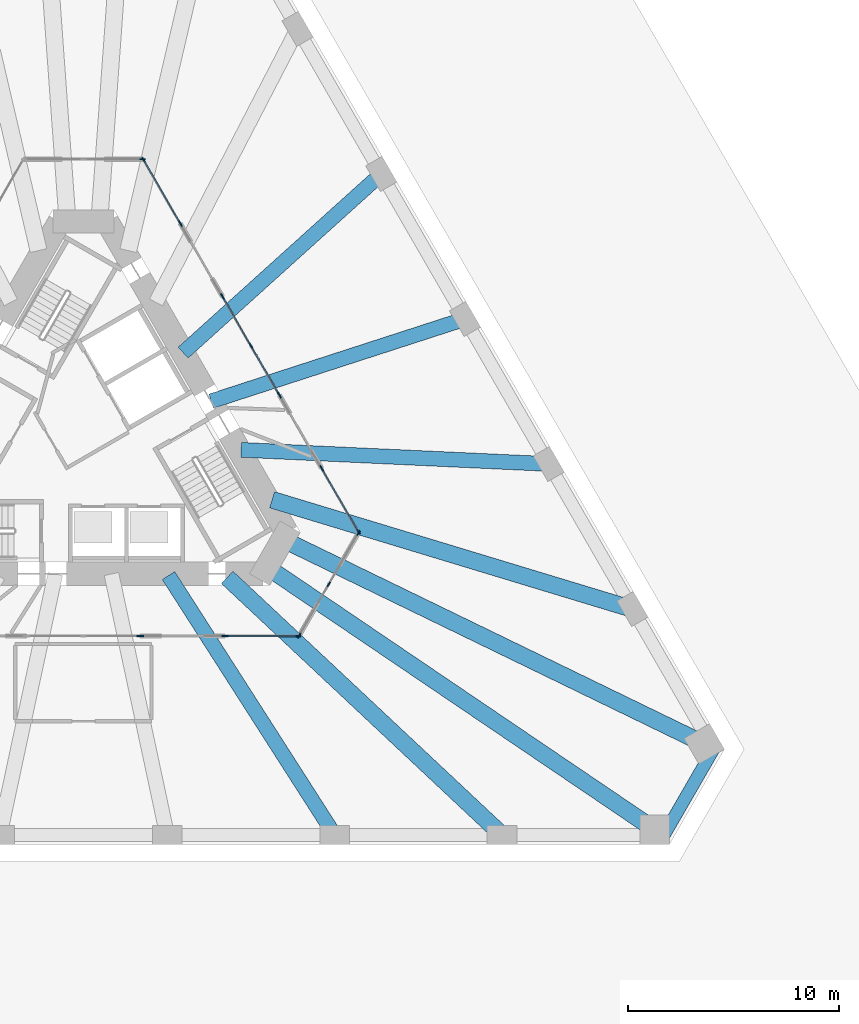
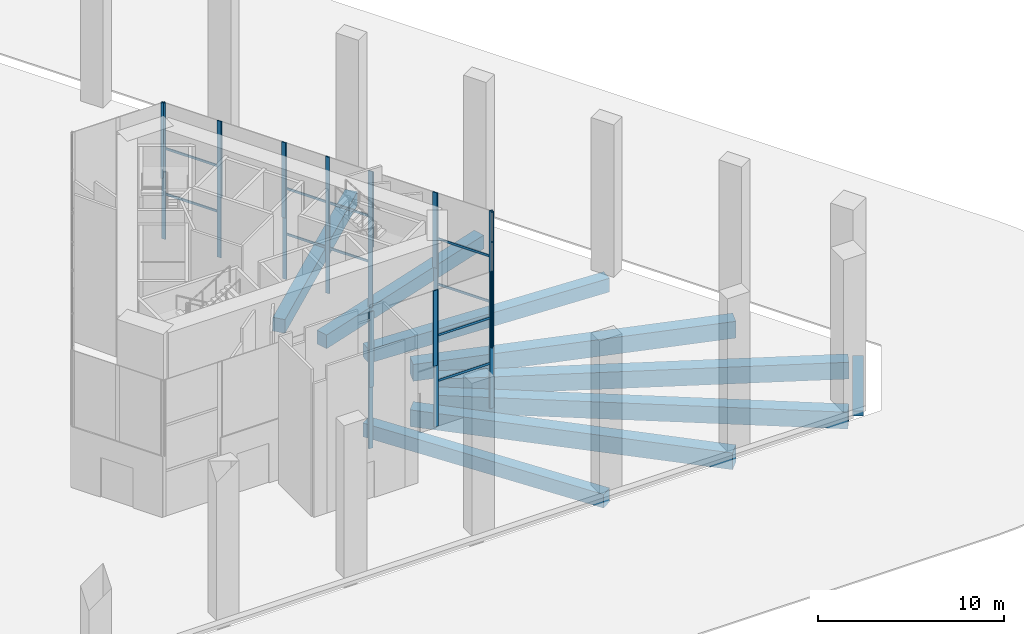
# One storey, part 5 of 13: 30 members, 9 beams, 10 elements without a shape of their own.
"""IFC4 building model written with IfcOpenShell, lengths in metres."""

from ifc_helpers import new_model, si_unit, direction, frame, origin, origin_2d, place, context, subcontext, project, spatial, rectangle, extrude, material, layer, layer_set, material_profile, profile_set, type_object, element, aggregate, save


model = new_model("IFC4")

# Units and contexts
model_context = context("Model", 3, precision=1e-05, world=origin(), true_north=direction((0.0, 1.0)))
body_context = subcontext(model_context, "Body", "Model", "MODEL_VIEW")
ifc_project = project(units=[si_unit("LENGTHUNIT", "METRE"), si_unit("AREAUNIT", "SQUARE_METRE"), si_unit("VOLUMEUNIT", "CUBIC_METRE"), si_unit("PLANEANGLEUNIT", "RADIAN"), si_unit("MASSUNIT", "GRAM", prefix="KILO")], contexts=[model_context])

# Site, building, storey
site_placement = place(None, origin())
site = spatial("IfcSite", under=ifc_project, at=site_placement, CompositionType="ELEMENT")
building_placement = place(site_placement, origin())
building = spatial("IfcBuilding", under=site, at=building_placement, Name="Tramontana Tower", CompositionType="ELEMENT")
storey_placement = place(building_placement, origin())
storey = spatial("IfcBuildingStorey", under=building, at=storey_placement, Name="L00", CompositionType="ELEMENT", Elevation=0.0)

# Curtain wall, members
ifc_material_1 = material(Name="Aluminum extrusion", Category="aluminium")
ifc_layer = layer(ifc_material_1, 0.14990234375)
ifc_layer_set = layer_set([ifc_layer], Name="CW1 Entrance pavilion curtain wall")
curtain_wall_type = type_object("IfcCurtainWallType", Name="CW1 Entrance pavilion curtain wall", PredefinedType="NOTDEFINED", material=ifc_layer_set)
curtain_wall_1_placement = place(storey_placement, origin())
curtain_wall_1 = element("IfcCurtainWall", 1, at=curtain_wall_1_placement, inside=storey, type_object=curtain_wall_type, Name="CW1 curtain wall L00 edge 1 run 1", PredefinedType="NOTDEFINED")
ifc_material_2 = material(Name="Aluminum extrusion", Category="aluminium")
ifc_material_profile_1 = material_profile(ifc_material_2, rectangle(XDim=0.06005859375, YDim=0.25, at=origin_2d()), Name="CW1-M Mullion 60 x 250")
ifc_profile_set_1 = profile_set([ifc_material_profile_1], Name="Aluminum extrusion")
member_type_1 = type_object("IfcMemberType", Name="CW1-M Mullion 60 x 250", PredefinedType="MULLION", material=ifc_profile_set_1)
member_1_placement = place(storey_placement, frame((2.843994140625, 13.3740234375, 0.0), z_axis=(0.0, 0.0, 1.0), x_axis=(0.866025403784, 0.5, 0.0)))
member_1 = element("IfcMember", 2, at=member_1_placement, type_object=member_type_1, Name="CW1 curtain wall L00 edge 1 run 1 mullion 1", PredefinedType="MULLION", context=body_context, shape_type="SweptSolid", body=[
    extrude(rectangle(XDim=0.06005859375, YDim=0.25, at=origin_2d()), origin(), (0.0, 0.0, 1.0), 8.949951171875),
])
member_2_placement = place(storey_placement, frame((4.5654296875, 10.392578125, 0.0), z_axis=(0.0, 0.0, 1.0), x_axis=(0.866025403784, 0.5, 0.0)))
member_2 = element("IfcMember", 3, at=member_2_placement, type_object=member_type_1, Name="CW1 curtain wall L00 edge 1 run 1 mullion 2", PredefinedType="MULLION", context=body_context, shape_type="SweptSolid", body=[
    extrude(rectangle(XDim=0.06005859375, YDim=0.25, at=origin_2d()), origin(), (0.0, 0.0, 1.0), 8.949951171875),
])

curtain_wall_2_placement = place(storey_placement, origin())
curtain_wall_2 = element("IfcCurtainWall", 4, at=curtain_wall_2_placement, inside=storey, type_object=curtain_wall_type, Name="CW1 curtain wall L00 edge 1 run 2", PredefinedType="NOTDEFINED")
member_3_placement = place(storey_placement, frame((6.595458984375, 6.87646484375, 0.0), z_axis=(0.0, 0.0, 1.0), x_axis=(0.866025403784, 0.5, 0.0)))
member_3 = element("IfcMember", 5, at=member_3_placement, type_object=member_type_1, Name="CW1 curtain wall L00 edge 1 run 2 mullion 1", PredefinedType="MULLION", context=body_context, shape_type="SweptSolid", body=[
    extrude(rectangle(XDim=0.06005859375, YDim=0.25, at=origin_2d()), origin(), (0.0, 0.0, 1.0), 8.949951171875),
])
member_4_placement = place(storey_placement, frame((7.924072265625, 4.574951171875, 0.0), z_axis=(0.0, 0.0, 1.0), x_axis=(0.866025403784, 0.5, 0.0)))
member_4 = element("IfcMember", 6, at=member_4_placement, type_object=member_type_1, Name="CW1 curtain wall L00 edge 1 run 2 mullion 2", PredefinedType="MULLION", context=body_context, shape_type="SweptSolid", body=[
    extrude(rectangle(XDim=0.06005859375, YDim=0.25, at=origin_2d()), origin(), (0.0, 0.0, 1.0), 8.949951171875),
])
member_5_placement = place(storey_placement, frame((9.2529296875, 2.2734375, 0.0), z_axis=(0.0, 0.0, 1.0), x_axis=(0.866025403784, 0.5, 0.0)))
member_5 = element("IfcMember", 7, at=member_5_placement, type_object=member_type_1, Name="CW1 curtain wall L00 edge 1 run 2 mullion 3", PredefinedType="MULLION", context=body_context, shape_type="SweptSolid", body=[
    extrude(rectangle(XDim=0.06005859375, YDim=0.25, at=origin_2d()), origin(), (0.0, 0.0, 1.0), 8.949951171875),
])

curtain_wall_3_placement = place(storey_placement, origin())
curtain_wall_3 = element("IfcCurtainWall", 8, at=curtain_wall_3_placement, inside=storey, type_object=curtain_wall_type, Name="CW1 curtain wall L00 edge 1 run 3", PredefinedType="NOTDEFINED")
member_6_placement = place(storey_placement, frame((11.282958984375, -1.242431640625, 0.0), z_axis=(0.0, 0.0, 1.0), x_axis=(0.866025403784, 0.5, 0.0)))
member_6 = element("IfcMember", 9, at=member_6_placement, type_object=member_type_1, Name="CW1 curtain wall L00 edge 1 run 3 mullion 1", PredefinedType="MULLION", context=body_context, shape_type="SweptSolid", body=[
    extrude(rectangle(XDim=0.06005859375, YDim=0.25, at=origin_2d()), origin(), (0.0, 0.0, 1.0), 8.949951171875),
])
member_7_placement = place(storey_placement, frame((13.004150390625, -4.22412109375, 0.0), z_axis=(0.0, 0.0, 1.0), x_axis=(0.866025403784, 0.5, 0.0)))
member_7 = element("IfcMember", 10, at=member_7_placement, type_object=member_type_1, Name="CW1 curtain wall L00 edge 1 run 3 mullion 2", PredefinedType="MULLION", context=body_context, shape_type="SweptSolid", body=[
    extrude(rectangle(XDim=0.06005859375, YDim=0.25, at=origin_2d()), origin(), (0.0, 0.0, 1.0), 8.949951171875),
])

curtain_wall_4_placement = place(storey_placement, origin())
curtain_wall_4 = element("IfcCurtainWall", 11, at=curtain_wall_4_placement, inside=storey, type_object=curtain_wall_type, Name="CW1 curtain wall L00 edge 1 over entrance 1", PredefinedType="NOTDEFINED")
member_8_placement = place(storey_placement, frame((4.595458984375, 10.340576171875, 4.0), z_axis=(0.0, 0.0, 1.0), x_axis=(0.866025403784, 0.5, 0.0)))
member_8 = element("IfcMember", 12, at=member_8_placement, type_object=member_type_1, Name="CW1 curtain wall L00 edge 1 over entrance 1 mullion 1", PredefinedType="MULLION", context=body_context, shape_type="SweptSolid", body=[
    extrude(rectangle(XDim=0.06005859375, YDim=0.25, at=origin_2d()), origin(), (0.0, 0.0, 1.0), 4.949951171875),
])
member_9_placement = place(storey_placement, frame((6.5654296875, 6.928466796875, 4.0), z_axis=(0.0, 0.0, 1.0), x_axis=(0.866025403784, 0.5, 0.0)))
member_9 = element("IfcMember", 13, at=member_9_placement, type_object=member_type_1, Name="CW1 curtain wall L00 edge 1 over entrance 1 mullion 2", PredefinedType="MULLION", context=body_context, shape_type="SweptSolid", body=[
    extrude(rectangle(XDim=0.06005859375, YDim=0.25, at=origin_2d()), origin(), (0.0, 0.0, 1.0), 4.949951171875),
])
aggregate(curtain_wall_4, [member_8, member_9])

curtain_wall_5_placement = place(storey_placement, origin())
curtain_wall_5 = element("IfcCurtainWall", 14, at=curtain_wall_5_placement, inside=storey, type_object=curtain_wall_type, Name="CW1 curtain wall L00 edge 1 over entrance 2", PredefinedType="NOTDEFINED")
member_10_placement = place(storey_placement, frame((9.282958984375, 2.2216796875, 4.0), z_axis=(0.0, 0.0, 1.0), x_axis=(0.866025403784, 0.5, 0.0)))
member_10 = element("IfcMember", 15, at=member_10_placement, type_object=member_type_1, Name="CW1 curtain wall L00 edge 1 over entrance 2 mullion 1", PredefinedType="MULLION", context=body_context, shape_type="SweptSolid", body=[
    extrude(rectangle(XDim=0.06005859375, YDim=0.25, at=origin_2d()), origin(), (0.0, 0.0, 1.0), 4.949951171875),
])
member_11_placement = place(storey_placement, frame((11.2529296875, -1.190673828125, 4.0), z_axis=(0.0, 0.0, 1.0), x_axis=(0.866025403784, 0.5, 0.0)))
member_11 = element("IfcMember", 16, at=member_11_placement, type_object=member_type_1, Name="CW1 curtain wall L00 edge 1 over entrance 2 mullion 2", PredefinedType="MULLION", context=body_context, shape_type="SweptSolid", body=[
    extrude(rectangle(XDim=0.06005859375, YDim=0.25, at=origin_2d()), origin(), (0.0, 0.0, 1.0), 4.949951171875),
])
aggregate(curtain_wall_5, [member_10, member_11])

curtain_wall_6_placement = place(storey_placement, origin())
curtain_wall_6 = element("IfcCurtainWall", 17, at=curtain_wall_6_placement, inside=storey, type_object=curtain_wall_type, Name="CW1 curtain wall L00 stair exit 1 over door", PredefinedType="NOTDEFINED")
member_12_placement = place(storey_placement, frame((13.004150390625, -4.27587890625, 4.0), z_axis=(0.0, 0.0, 1.0), x_axis=(0.866025403784, -0.5, 0.0)))
member_12 = element("IfcMember", 18, at=member_12_placement, type_object=member_type_1, Name="CW1 curtain wall L00 stair exit 1 over door mullion 1", PredefinedType="MULLION", context=body_context, shape_type="SweptSolid", body=[
    extrude(rectangle(XDim=0.06005859375, YDim=0.25, at=origin_2d()), origin(), (0.0, 0.0, 1.0), 4.949951171875),
])
member_13_placement = place(storey_placement, frame((11.604736328125, -6.699951171875, 4.0), z_axis=(0.0, 0.0, 1.0), x_axis=(0.866025403784, -0.5, 0.0)))
member_13 = element("IfcMember", 19, at=member_13_placement, type_object=member_type_1, Name="CW1 curtain wall L00 stair exit 1 over door mullion 2", PredefinedType="MULLION", context=body_context, shape_type="SweptSolid", body=[
    extrude(rectangle(XDim=0.06005859375, YDim=0.25, at=origin_2d()), origin(), (0.0, 0.0, 1.0), 4.949951171875),
])
member_14_placement = place(storey_placement, frame((10.205322265625, -9.1240234375, 4.0), z_axis=(0.0, 0.0, 1.0), x_axis=(0.866025403784, -0.5, 0.0)))
member_14 = element("IfcMember", 20, at=member_14_placement, type_object=member_type_1, Name="CW1 curtain wall L00 stair exit 1 over door mullion 3", PredefinedType="MULLION", context=body_context, shape_type="SweptSolid", body=[
    extrude(rectangle(XDim=0.06005859375, YDim=0.25, at=origin_2d()), origin(), (0.0, 0.0, 1.0), 4.949951171875),
])
aggregate(curtain_wall_6, [member_12, member_13, member_14])

curtain_wall_7_placement = place(storey_placement, origin())
curtain_wall_7 = element("IfcCurtainWall", 21, at=curtain_wall_7_placement, inside=storey, type_object=curtain_wall_type, Name="CW1 curtain wall L00 edge 2 run 1", PredefinedType="NOTDEFINED")
member_15_placement = place(storey_placement, frame((10.16015625, -9.14990234375, 0.0), z_axis=(0.0, 0.0, 1.0), x_axis=(0.0, -1.0, 0.0)))
member_15 = element("IfcMember", 22, at=member_15_placement, type_object=member_type_1, Name="CW1 curtain wall L00 edge 2 run 1 mullion 1", PredefinedType="MULLION", context=body_context, shape_type="SweptSolid", body=[
    extrude(rectangle(XDim=0.06005859375, YDim=0.25, at=origin_2d()), origin(), (0.0, 0.0, 1.0), 8.949951171875),
])
member_16_placement = place(storey_placement, frame((6.717529296875, -9.14990234375, 0.0), z_axis=(0.0, 0.0, 1.0), x_axis=(0.0, -1.0, 0.0)))
member_16 = element("IfcMember", 23, at=member_16_placement, type_object=member_type_1, Name="CW1 curtain wall L00 edge 2 run 1 mullion 2", PredefinedType="MULLION", context=body_context, shape_type="SweptSolid", body=[
    extrude(rectangle(XDim=0.06005859375, YDim=0.25, at=origin_2d()), origin(), (0.0, 0.0, 1.0), 8.949951171875),
])

# Curtain wall, member
curtain_wall_8_placement = place(storey_placement, origin())
curtain_wall_8 = element("IfcCurtainWall", 24, at=curtain_wall_8_placement, inside=storey, type_object=curtain_wall_type, Name="CW1 curtain wall L00 edge 2 run 2", PredefinedType="NOTDEFINED")
member_17_placement = place(storey_placement, frame((2.657470703125, -9.14990234375, 0.0), z_axis=(0.0, 0.0, 1.0), x_axis=(0.0, -1.0, 0.0)))
member_17 = element("IfcMember", 25, at=member_17_placement, type_object=member_type_1, Name="CW1 curtain wall L00 edge 2 run 2 mullion 1", PredefinedType="MULLION", context=body_context, shape_type="SweptSolid", body=[
    extrude(rectangle(XDim=0.06005859375, YDim=0.25, at=origin_2d()), origin(), (0.0, 0.0, 1.0), 8.949951171875),
])
aggregate(curtain_wall_8, [member_17])

# Curtain wall, members
curtain_wall_9_placement = place(storey_placement, origin())
curtain_wall_9 = element("IfcCurtainWall", 26, at=curtain_wall_9_placement, inside=storey, type_object=curtain_wall_type, Name="CW1 curtain wall L00 edge 2 over entrance 1", PredefinedType="NOTDEFINED")
member_18_placement = place(storey_placement, frame((6.657470703125, -9.14990234375, 4.0), z_axis=(0.0, 0.0, 1.0), x_axis=(0.0, -1.0, 0.0)))
member_18 = element("IfcMember", 27, at=member_18_placement, type_object=member_type_1, Name="CW1 curtain wall L00 edge 2 over entrance 1 mullion 1", PredefinedType="MULLION", context=body_context, shape_type="SweptSolid", body=[
    extrude(rectangle(XDim=0.06005859375, YDim=0.25, at=origin_2d()), origin(), (0.0, 0.0, 1.0), 4.949951171875),
])
member_19_placement = place(storey_placement, frame((2.717529296875, -9.14990234375, 4.0), z_axis=(0.0, 0.0, 1.0), x_axis=(0.0, -1.0, 0.0)))
member_19 = element("IfcMember", 28, at=member_19_placement, type_object=member_type_1, Name="CW1 curtain wall L00 edge 2 over entrance 1 mullion 2", PredefinedType="MULLION", context=body_context, shape_type="SweptSolid", body=[
    extrude(rectangle(XDim=0.06005859375, YDim=0.25, at=origin_2d()), origin(), (0.0, 0.0, 1.0), 4.949951171875),
])
aggregate(curtain_wall_9, [member_18, member_19])

# Curtain wall, member
curtain_wall_10_placement = place(storey_placement, origin())
curtain_wall_10 = element("IfcCurtainWall", 29, at=curtain_wall_10_placement, inside=storey, type_object=curtain_wall_type, Name="CW1 curtain wall L00 stair exit 3 over door", PredefinedType="NOTDEFINED")
member_20_placement = place(storey_placement, frame((2.799072265625, 13.39990234375, 4.0), z_axis=(0.0, 0.0, 1.0), x_axis=(0.0, 1.0, 0.0)))
member_20 = element("IfcMember", 30, at=member_20_placement, type_object=member_type_1, Name="CW1 curtain wall L00 stair exit 3 over door mullion 3", PredefinedType="MULLION", context=body_context, shape_type="SweptSolid", body=[
    extrude(rectangle(XDim=0.06005859375, YDim=0.25, at=origin_2d()), origin(), (0.0, 0.0, 1.0), 4.949951171875),
])
aggregate(curtain_wall_10, [member_20])

# Member
ifc_material_3 = material(Name="Aluminum extrusion", Category="aluminium")
ifc_material_profile_2 = material_profile(ifc_material_3, rectangle(XDim=0.06005859375, YDim=0.14990234375, at=origin_2d()), Name="CW1-T Transom 60 x 150")
ifc_profile_set_2 = profile_set([ifc_material_profile_2], Name="Aluminum extrusion")
member_type_2 = type_object("IfcMemberType", Name="CW1-T Transom 60 x 150", PredefinedType="USERDEFINED", material=ifc_profile_set_2)
member_21_placement = place(storey_placement, frame((2.859130859375, 13.34814453125, 2.98291015625), z_axis=(0.499934869009, -0.866063003914, 0.0), x_axis=(0.866063003914, 0.499934869009, 0.0)))
member_21 = element("IfcMember", 31, at=member_21_placement, type_object=member_type_2, Name="CW1 curtain wall L00 edge 1 run 1 transom 1.1", ObjectType="TRANSOM", PredefinedType="USERDEFINED", context=body_context, shape_type="SweptSolid", body=[
    extrude(rectangle(XDim=0.06005859375, YDim=0.14990234375, at=origin_2d()), origin(), (0.0, 0.0, 1.0), 3.3828125),
])

member_22_placement = place(storey_placement, frame((2.859130859375, 13.34814453125, 5.967041015625), z_axis=(0.499934869009, -0.866063003914, 0.0), x_axis=(0.866063003914, 0.499934869009, 0.0)))
member_22 = element("IfcMember", 32, at=member_22_placement, type_object=member_type_2, Name="CW1 curtain wall L00 edge 1 run 1 transom 1.2", ObjectType="TRANSOM", PredefinedType="USERDEFINED", context=body_context, shape_type="SweptSolid", body=[
    extrude(rectangle(XDim=0.06005859375, YDim=0.14990234375, at=origin_2d()), origin(), (0.0, 0.0, 1.0), 3.3828125),
])

aggregate(curtain_wall_1, [member_1, member_2, member_21, member_22])

member_23_placement = place(storey_placement, frame((6.6103515625, 6.8505859375, 2.98291015625), z_axis=(0.500020768084, -0.866013412994, 0.0), x_axis=(0.866013412994, 0.500020768084, 0.0)))
member_23 = element("IfcMember", 33, at=member_23_placement, type_object=member_type_2, Name="CW1 curtain wall L00 edge 1 run 2 transom 1.1", ObjectType="TRANSOM", PredefinedType="USERDEFINED", context=body_context, shape_type="SweptSolid", body=[
    extrude(rectangle(XDim=0.06005859375, YDim=0.14990234375, at=origin_2d()), origin(), (0.0, 0.0, 1.0), 2.59765625),
])

member_24_placement = place(storey_placement, frame((6.6103515625, 6.8505859375, 5.967041015625), z_axis=(0.500020768084, -0.866013412994, 0.0), x_axis=(0.866013412994, 0.500020768084, 0.0)))
member_24 = element("IfcMember", 34, at=member_24_placement, type_object=member_type_2, Name="CW1 curtain wall L00 edge 1 run 2 transom 1.2", ObjectType="TRANSOM", PredefinedType="USERDEFINED", context=body_context, shape_type="SweptSolid", body=[
    extrude(rectangle(XDim=0.06005859375, YDim=0.14990234375, at=origin_2d()), origin(), (0.0, 0.0, 1.0), 2.59765625),
])

member_25_placement = place(storey_placement, frame((7.939208984375, 4.549072265625, 2.98291015625), z_axis=(0.499950273417, -0.866054111537, 0.0), x_axis=(0.866054111537, 0.499950273417, 0.0)))
member_25 = element("IfcMember", 35, at=member_25_placement, type_object=member_type_2, Name="CW1 curtain wall L00 edge 1 run 2 transom 2.1", ObjectType="TRANSOM", PredefinedType="USERDEFINED", context=body_context, shape_type="SweptSolid", body=[
    extrude(rectangle(XDim=0.06005859375, YDim=0.14990234375, at=origin_2d()), origin(), (0.0, 0.0, 1.0), 2.597412109375),
])

member_26_placement = place(storey_placement, frame((7.939208984375, 4.549072265625, 5.967041015625), z_axis=(0.499950273417, -0.866054111537, 0.0), x_axis=(0.866054111537, 0.499950273417, 0.0)))
member_26 = element("IfcMember", 36, at=member_26_placement, type_object=member_type_2, Name="CW1 curtain wall L00 edge 1 run 2 transom 2.2", ObjectType="TRANSOM", PredefinedType="USERDEFINED", context=body_context, shape_type="SweptSolid", body=[
    extrude(rectangle(XDim=0.06005859375, YDim=0.14990234375, at=origin_2d()), origin(), (0.0, 0.0, 1.0), 2.597412109375),
])

aggregate(curtain_wall_2, [member_3, member_4, member_5, member_23, member_24, member_25, member_26])

member_27_placement = place(storey_placement, frame((11.2978515625, -1.2685546875, 2.98291015625), z_axis=(0.500020251116, -0.866013711481, 0.0), x_axis=(0.866013711481, 0.500020251116, 0.0)))
member_27 = element("IfcMember", 37, at=member_27_placement, type_object=member_type_2, Name="CW1 curtain wall L00 edge 1 run 3 transom 1.1", ObjectType="TRANSOM", PredefinedType="USERDEFINED", context=body_context, shape_type="SweptSolid", body=[
    extrude(rectangle(XDim=0.06005859375, YDim=0.14990234375, at=origin_2d()), origin(), (0.0, 0.0, 1.0), 3.382568359375),
])

member_28_placement = place(storey_placement, frame((11.2978515625, -1.2685546875, 5.967041015625), z_axis=(0.500020251116, -0.866013711481, 0.0), x_axis=(0.866013711481, 0.500020251116, 0.0)))
member_28 = element("IfcMember", 38, at=member_28_placement, type_object=member_type_2, Name="CW1 curtain wall L00 edge 1 run 3 transom 1.2", ObjectType="TRANSOM", PredefinedType="USERDEFINED", context=body_context, shape_type="SweptSolid", body=[
    extrude(rectangle(XDim=0.06005859375, YDim=0.14990234375, at=origin_2d()), origin(), (0.0, 0.0, 1.0), 3.382568359375),
])

aggregate(curtain_wall_3, [member_6, member_7, member_27, member_28])

member_29_placement = place(storey_placement, frame((10.130126953125, -9.14990234375, 2.98291015625), z_axis=(-1.0, 0.0, 0.0), x_axis=(0.0, -1.0, 0.0)))
member_29 = element("IfcMember", 39, at=member_29_placement, type_object=member_type_2, Name="CW1 curtain wall L00 edge 2 run 1 transom 1.1", ObjectType="TRANSOM", PredefinedType="USERDEFINED", context=body_context, shape_type="SweptSolid", body=[
    extrude(rectangle(XDim=0.06005859375, YDim=0.14990234375, at=origin_2d()), origin(), (0.0, 0.0, 1.0), 3.382568359375),
])

member_30_placement = place(storey_placement, frame((10.130126953125, -9.14990234375, 5.967041015625), z_axis=(-1.0, 0.0, 0.0), x_axis=(0.0, -1.0, 0.0)))
member_30 = element("IfcMember", 40, at=member_30_placement, type_object=member_type_2, Name="CW1 curtain wall L00 edge 2 run 1 transom 1.2", ObjectType="TRANSOM", PredefinedType="USERDEFINED", context=body_context, shape_type="SweptSolid", body=[
    extrude(rectangle(XDim=0.06005859375, YDim=0.14990234375, at=origin_2d()), origin(), (0.0, 0.0, 1.0), 3.382568359375),
])

aggregate(curtain_wall_7, [member_15, member_16, member_29, member_30])

# Beams
ifc_material_4 = material(Name="Concrete 40 MPa", Category="concrete")
ifc_material_profile_3 = material_profile(ifc_material_4, rectangle(XDim=0.60009765625, YDim=0.35009765625, at=origin_2d()), Name="RC EDGE BEAM 600X350 40 MPa")
ifc_profile_set_3 = profile_set([ifc_material_profile_3], Name="Concrete 40 MPa")
beam_type_1 = type_object("IfcBeamType", Name="RC EDGE BEAM 600X350 40 MPa", PredefinedType="SPANDREL", material=ifc_profile_set_3)
beam_1_placement = place(storey_placement, frame((27.322998046875, -18.77490234375, -0.52490234375), z_axis=(0.50000986103, 0.866019710441, 0.0), x_axis=(-0.866019710441, 0.50000986103, 0.0)))
element("IfcBeam", 41, at=beam_1_placement, inside=storey, type_object=beam_type_1, Name="Spandrel beam K2 L00", PredefinedType="SPANDREL", context=body_context, shape_type="SweptSolid", body=[
    extrude(rectangle(XDim=0.60009765625, YDim=0.35009765625, at=origin_2d()), origin(), (0.0, 0.0, 1.0), 5.1962890625),
])
ifc_material_5 = material(Name="Concrete 40 MPa", Category="concrete")
ifc_material_profile_4 = material_profile(ifc_material_5, rectangle(XDim=0.699951171875, YDim=0.89990234375, at=origin_2d()), Name="RC GIRDER 700X900 40 MPa")
ifc_profile_set_4 = profile_set([ifc_material_profile_4], Name="Concrete 40 MPa")
beam_type_2 = type_object("IfcBeamType", Name="RC GIRDER 700X900 40 MPa", PredefinedType="BEAM", material=ifc_profile_set_4)
for number, where, z_axis, x_axis, name in (
    (42, (11.876953125, -18.550048828125, -0.800048828125), (-0.539217827497, 0.84216633423, 0.0), (-0.84216633423, -0.539217827497, 0.0), "Radial girder C0F11 L00"),
    (43, (22.003173828125, -1.0107421875, -0.800048828125), (-0.998946541736, 0.045889070085, 0.0), (-0.045889070085, -0.998946541736, 0.0), "Radial girder C0F14 L00"),
):
    element("IfcBeam", number, at=place(storey_placement, frame(where, z_axis=z_axis, x_axis=x_axis)), inside=storey, type_object=beam_type_2, Name=name, PredefinedType="BEAM", context=body_context, shape_type="SweptSolid", body=[
        extrude(rectangle(XDim=0.699951171875, YDim=0.89990234375, at=origin_2d()), origin(), (0.0, 0.0, 1.0), 14.5615234375),
    ])
beam_2_placement = place(storey_placement, frame((18.044189453125, 5.846435546875, -0.800048828125), z_axis=(-0.951314408854, -0.30822215285, 0.0), x_axis=(0.30822215285, -0.951314408854, 0.0)))
element("IfcBeam", 44, at=beam_2_placement, inside=storey, type_object=beam_type_2, Name="Radial girder C0F15 L00", PredefinedType="BEAM", context=body_context, shape_type="SweptSolid", body=[
    extrude(rectangle(XDim=0.699951171875, YDim=0.89990234375, at=origin_2d()), origin(), (0.0, 0.0, 1.0), 12.61572265625),
])
beam_3_placement = place(storey_placement, frame((14.085205078125, 12.70361328125, -0.800048828125), z_axis=(-0.742588406407, -0.669748056116, 0.0), x_axis=(0.669748056116, -0.742588406407, 0.0)))
element("IfcBeam", 45, at=beam_3_placement, inside=storey, type_object=beam_type_2, Name="Radial girder C0F16 L00", PredefinedType="BEAM", context=body_context, shape_type="SweptSolid", body=[
    extrude(rectangle(XDim=0.699951171875, YDim=0.89990234375, at=origin_2d()), origin(), (0.0, 0.0, 1.0), 12.615966796875),
])
ifc_material_6 = material(Name="Concrete 40 MPa", Category="concrete")
ifc_material_profile_5 = material_profile(ifc_material_6, rectangle(XDim=0.800048828125, YDim=1.10009765625, at=origin_2d()), Name="RC GIRDER 800X1100 40 MPa")
ifc_profile_set_5 = profile_set([ifc_material_profile_5], Name="Concrete 40 MPa")
beam_type_3 = type_object("IfcBeamType", Name="RC GIRDER 800X1100 40 MPa", PredefinedType="BEAM", material=ifc_profile_set_5)
beam_4_placement = place(storey_placement, frame((19.794921875, -18.550048828125, -0.89990234375), z_axis=(-0.72967229952, 0.683796998614, 0.0), x_axis=(-0.683796998614, -0.72967229952, 0.0)))
element("IfcBeam", 46, at=beam_4_placement, inside=storey, type_object=beam_type_3, Name="Radial girder C0F12 L00", PredefinedType="BEAM", context=body_context, shape_type="SweptSolid", body=[
    extrude(rectangle(XDim=0.800048828125, YDim=1.10009765625, at=origin_2d()), origin(), (0.0, 0.0, 1.0), 17.806884765625),
])
beam_5_placement = place(storey_placement, frame((27.0126953125, -18.300048828125, -0.89990234375), z_axis=(-0.827898052271, 0.560878609903, 0.0), x_axis=(-0.560878609903, -0.827898052271, 0.0)))
element("IfcBeam", 47, at=beam_5_placement, inside=storey, type_object=beam_type_3, Name="Radial girder C0K4 L00", PredefinedType="BEAM", context=body_context, shape_type="SweptSolid", body=[
    extrude(rectangle(XDim=0.800048828125, YDim=1.10009765625, at=origin_2d()), origin(), (0.0, 0.0, 1.0), 22.1494140625),
])
beam_6_placement = place(storey_placement, frame((29.354736328125, -14.243896484375, -0.89990234375), z_axis=(-0.899679009302, 0.436552036098, 0.0), x_axis=(-0.436552036098, -0.899679009302, 0.0)))
element("IfcBeam", 48, at=beam_6_placement, inside=storey, type_object=beam_type_3, Name="Radial girder C0K5 L00", PredefinedType="BEAM", context=body_context, shape_type="SweptSolid", body=[
    extrude(rectangle(XDim=0.800048828125, YDim=1.10009765625, at=origin_2d()), origin(), (0.0, 0.0, 1.0), 22.149658203125),
])
beam_7_placement = place(storey_placement, frame((25.962158203125, -7.867919921875, -0.89990234375), z_axis=(-0.95701990712, 0.290022236004, 0.0), x_axis=(-0.290022236004, -0.95701990712, 0.0)))
element("IfcBeam", 49, at=beam_7_placement, inside=storey, type_object=beam_type_3, Name="Radial girder C0F13 L00", PredefinedType="BEAM", context=body_context, shape_type="SweptSolid", body=[
    extrude(rectangle(XDim=0.800048828125, YDim=1.10009765625, at=origin_2d()), origin(), (0.0, 0.0, 1.0), 17.806640625),
])

save(model, "model.ifc")
